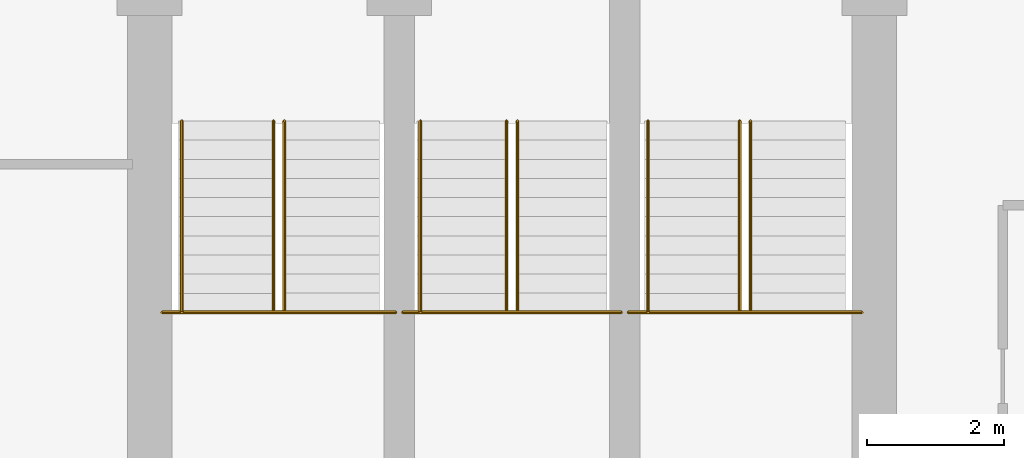
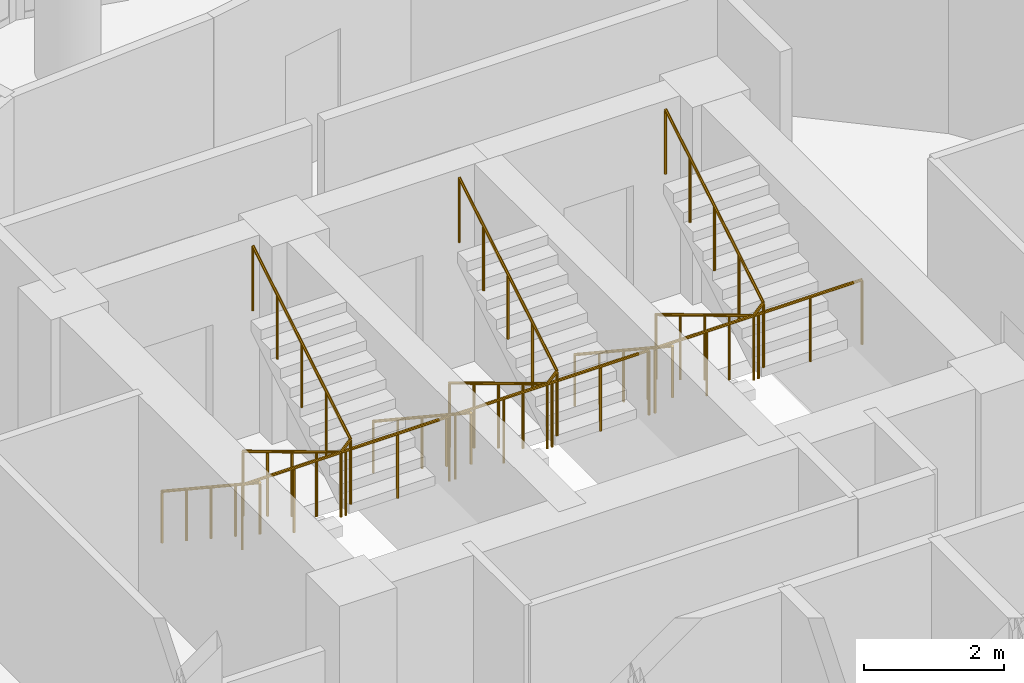
# One storey, part 26 of 26: 9 railings.
"""IFC4 building model written with IfcOpenShell, lengths in metres."""

from ifc_helpers import new_model, si_unit, direction, frame, origin, place, context, subcontext, project, spatial, polyline, outline, extrude, material, type_object, element, save


model = new_model("IFC4")

# Units and contexts
model_context = context("Model", 3, precision=1e-05, world=origin(), true_north=direction((0.0, 1.0)))
body_context = subcontext(model_context, "Body", "Model", "MODEL_VIEW")
ifc_project = project(units=[si_unit("LENGTHUNIT", "METRE"), si_unit("AREAUNIT", "SQUARE_METRE"), si_unit("VOLUMEUNIT", "CUBIC_METRE"), si_unit("PLANEANGLEUNIT", "RADIAN"), si_unit("MASSUNIT", "GRAM", prefix="KILO")], contexts=[model_context])

# Site, building, storey
site_placement = place(None, origin())
site = spatial("IfcSite", under=ifc_project, at=site_placement, CompositionType="ELEMENT")
building_placement = place(site_placement, origin())
building = spatial("IfcBuilding", under=site, at=building_placement, Name="Nuhasar Tower", CompositionType="ELEMENT")
storey_placement = place(building_placement, frame((0.0, 0.0, 118.25)))
storey = spatial("IfcBuildingStorey", under=building, at=storey_placement, Name="L27", CompositionType="ELEMENT", Elevation=118.25)

# Railings
ifc_material_1 = material(Name="Steel S355", Category="steel")
railing_type_1 = type_object("IfcRailingType", Name="RLG-STAIR-GUARD-1150", PredefinedType="GUARDRAIL", material=ifc_material_1)
railing_1_placement = place(storey_placement, frame((33.8798828125, 32.485107421875, 1.85009765625)))
element("IfcRailing", 1, at=railing_1_placement, inside=storey, type_object=railing_type_1, Name="L27 Stair ST-01 Guardrail LND", PredefinedType="GUARDRAIL", context=body_context, shape_type="SweptSolid", body=[
    extrude(outline(polyline([(0.024169921875, 0.0), (0.01708984375, 0.01708984375), (0.0, 0.024169921875), (-0.01708984375, 0.01708984375), (-0.024169921875, 0.0), (-0.01708984375, -0.01708984375), (0.0, -0.024169921875), (0.01708984375, -0.01708984375), (0.024169921875, 0.0)])), frame((0.0, 0.0, 1.1259765625), z_axis=(1.0, 0.0, 0.0), x_axis=(0.0, 1.0, 0.0)), (0.0, 0.0, 1.0), 3.420166015625),
    extrude(outline(polyline([(0.02099609375, 0.0), (0.014892578125, 0.014892578125), (0.0, 0.02099609375), (-0.014892578125, 0.014892578125), (-0.02099609375, 0.0), (-0.014892578125, -0.014892578125), (0.0, -0.02099609375), (0.014892578125, -0.014892578125), (0.02099609375, 0.0)])), origin(), (0.0, 0.0, 1.0), 1.101806640625),
    extrude(outline(polyline([(0.02099609375, 0.0), (0.014892578125, 0.014892578125), (0.0, 0.02099609375), (-0.014892578125, 0.014892578125), (-0.02099609375, 0.0), (-0.014892578125, -0.014892578125), (0.0, -0.02099609375), (0.014892578125, -0.014892578125), (0.02099609375, 0.0)])), frame((0.85498046875, 0.0, 0.0)), (0.0, 0.0, 1.0), 1.101806640625),
    extrude(outline(polyline([(0.02099609375, 0.0), (0.014892578125, 0.014892578125), (0.0, 0.02099609375), (-0.014892578125, 0.014892578125), (-0.02099609375, 0.0), (-0.014892578125, -0.014892578125), (0.0, -0.02099609375), (0.014892578125, -0.014892578125), (0.02099609375, 0.0)])), frame((1.7099609375, 0.0, 0.0)), (0.0, 0.0, 1.0), 1.101806640625),
    extrude(outline(polyline([(0.02099609375, 0.0), (0.014892578125, 0.014892578125), (0.0, 0.02099609375), (-0.014892578125, 0.014892578125), (-0.02099609375, 0.0), (-0.014892578125, -0.014892578125), (0.0, -0.02099609375), (0.014892578125, -0.014892578125), (0.02099609375, 0.0)])), frame((2.565185546875, 0.0, 0.0)), (0.0, 0.0, 1.0), 1.101806640625),
    extrude(outline(polyline([(0.02099609375, 0.0), (0.014892578125, 0.014892578125), (0.0, 0.02099609375), (-0.014892578125, 0.014892578125), (-0.02099609375, 0.0), (-0.014892578125, -0.014892578125), (0.0, -0.02099609375), (0.014892578125, -0.014892578125), (0.02099609375, 0.0)])), frame((3.420166015625, 0.0, 0.0)), (0.0, 0.0, 1.0), 1.101806640625),
])
railing_2_placement = place(storey_placement, frame((35.510009765625, 35.284912109375, 0.16796875)))
element("IfcRailing", 2, at=railing_2_placement, inside=storey, type_object=railing_type_1, Name="L27 Stair ST-01 Guardrail SLT", PredefinedType="GUARDRAIL", context=body_context, shape_type="SweptSolid", body=[
    extrude(outline(polyline([(0.024169921875, 0.0), (0.01708984375, 0.01708984375), (0.0, 0.024169921875), (-0.01708984375, 0.01708984375), (-0.024169921875, 0.0), (-0.01708984375, -0.01708984375), (0.0, -0.024169921875), (0.01708984375, -0.01708984375), (0.024169921875, 0.0)])), frame((0.0, 0.0, 1.1259765625), z_axis=(0.0, -0.857189395008, 0.515001302023), x_axis=(1.0, 0.0, 0.0)), (0.0, 0.0, 1.0), 3.266357421875),
    extrude(outline(polyline([(0.024169921875, 0.0), (0.01708984375, 0.01708984375), (0.0, 0.024169921875), (-0.01708984375, 0.01708984375), (-0.024169921875, 0.0), (-0.01708984375, -0.01708984375), (0.0, -0.024169921875), (0.01708984375, -0.01708984375), (0.024169921875, 0.0)])), frame((0.0, -2.7998046875, 2.80810546875), z_axis=(0.689523729023, 0.0, 0.72426309247), x_axis=(0.0, 1.0, 0.0)), (0.0, 0.0, 1.0), 0.23193359375),
    extrude(outline(polyline([(0.024169921875, 0.0), (0.01708984375, 0.01708984375), (0.0, 0.024169921875), (-0.01708984375, 0.01708984375), (-0.024169921875, 0.0), (-0.01708984375, -0.01708984375), (0.0, -0.024169921875), (0.01708984375, -0.01708984375), (0.024169921875, 0.0)])), frame((0.159912109375, -2.7998046875, 2.97607421875), z_axis=(0.0, 0.857222391501, 0.514946377315), x_axis=(-1.0, 0.0, 0.0)), (0.0, 0.0, 1.0), 3.26611328125),
    extrude(outline(polyline([(0.02099609375, 0.0), (0.014892578125, 0.014892578125), (0.0, 0.02099609375), (-0.014892578125, 0.014892578125), (-0.02099609375, 0.0), (-0.014892578125, -0.014892578125), (0.0, -0.02099609375), (0.014892578125, -0.014892578125), (0.02099609375, 0.0)])), origin(), (0.0, 0.0, 1.0), 1.101806640625),
    extrude(outline(polyline([(0.02099609375, 0.0), (0.014892578125, 0.014892578125), (0.0, 0.02099609375), (-0.014892578125, 0.014892578125), (-0.02099609375, 0.0), (-0.014892578125, -0.014892578125), (0.0, -0.02099609375), (0.014892578125, -0.014892578125), (0.02099609375, 0.0)])), frame((0.0, -0.699951171875, 0.42041015625)), (0.0, 0.0, 1.0), 1.101806640625),
    extrude(outline(polyline([(0.02099609375, 0.0), (0.014892578125, 0.014892578125), (0.0, 0.02099609375), (-0.014892578125, 0.014892578125), (-0.02099609375, 0.0), (-0.014892578125, -0.014892578125), (0.0, -0.02099609375), (0.014892578125, -0.014892578125), (0.02099609375, 0.0)])), frame((0.0, -1.39990234375, 0.841064453125)), (0.0, 0.0, 1.0), 1.101806640625),
    extrude(outline(polyline([(0.02099609375, 0.0), (0.014892578125, 0.014892578125), (0.0, 0.02099609375), (-0.014892578125, 0.014892578125), (-0.02099609375, 0.0), (-0.014892578125, -0.014892578125), (0.0, -0.02099609375), (0.014892578125, -0.014892578125), (0.02099609375, 0.0)])), frame((0.0, -2.099853515625, 1.26171875)), (0.0, 0.0, 1.0), 1.101806640625),
    extrude(outline(polyline([(0.02099609375, 0.0), (0.014892578125, 0.014892578125), (0.0, 0.02099609375), (-0.014892578125, 0.014892578125), (-0.02099609375, 0.0), (-0.014892578125, -0.014892578125), (0.0, -0.02099609375), (0.014892578125, -0.014892578125), (0.02099609375, 0.0)])), frame((0.0, -2.7998046875, 1.68212890625)), (0.0, 0.0, 1.0), 1.101806640625),
    extrude(outline(polyline([(0.02099609375, 0.0), (0.014892578125, 0.014892578125), (0.0, 0.02099609375), (-0.014892578125, 0.014892578125), (-0.02099609375, 0.0), (-0.014892578125, -0.014892578125), (0.0, -0.02099609375), (0.014892578125, -0.014892578125), (0.02099609375, 0.0)])), frame((0.159912109375, -2.7998046875, 1.85009765625)), (0.0, 0.0, 1.0), 1.101806640625),
    extrude(outline(polyline([(0.02099609375, 0.0), (0.014892578125, 0.014892578125), (0.0, 0.02099609375), (-0.014892578125, 0.014892578125), (-0.02099609375, 0.0), (-0.014892578125, -0.014892578125), (0.0, -0.02099609375), (0.014892578125, -0.014892578125), (0.02099609375, 0.0)])), frame((0.159912109375, -2.099853515625, 2.2705078125)), (0.0, 0.0, 1.0), 1.101806640625),
    extrude(outline(polyline([(0.02099609375, 0.0), (0.014892578125, 0.014892578125), (0.0, 0.02099609375), (-0.014892578125, 0.014892578125), (-0.02099609375, 0.0), (-0.014892578125, -0.014892578125), (0.0, -0.02099609375), (0.014892578125, -0.014892578125), (0.02099609375, 0.0)])), frame((0.159912109375, -1.39990234375, 2.69091796875)), (0.0, 0.0, 1.0), 1.101806640625),
    extrude(outline(polyline([(0.02099609375, 0.0), (0.014892578125, 0.014892578125), (0.0, 0.02099609375), (-0.014892578125, 0.014892578125), (-0.02099609375, 0.0), (-0.014892578125, -0.014892578125), (0.0, -0.02099609375), (0.014892578125, -0.014892578125), (0.02099609375, 0.0)])), frame((0.159912109375, -0.699951171875, 3.111572265625)), (0.0, 0.0, 1.0), 1.101806640625),
    extrude(outline(polyline([(0.02099609375, 0.0), (0.014892578125, 0.014892578125), (0.0, 0.02099609375), (-0.014892578125, 0.014892578125), (-0.02099609375, 0.0), (-0.014892578125, -0.014892578125), (0.0, -0.02099609375), (0.014892578125, -0.014892578125), (0.02099609375, 0.0)])), frame((0.159912109375, 0.0, 3.531982421875)), (0.0, 0.0, 1.0), 1.101806640625),
])
railing_3_placement = place(storey_placement, frame((37.39990234375, 32.485107421875, 1.85009765625)))
element("IfcRailing", 3, at=railing_3_placement, inside=storey, type_object=railing_type_1, Name="L27 Stair ST-03 Guardrail LND", PredefinedType="GUARDRAIL", context=body_context, shape_type="SweptSolid", body=[
    extrude(outline(polyline([(0.024169921875, 0.0), (0.01708984375, 0.01708984375), (0.0, 0.024169921875), (-0.01708984375, 0.01708984375), (-0.024169921875, 0.0), (-0.01708984375, -0.01708984375), (0.0, -0.024169921875), (0.01708984375, -0.01708984375), (0.024169921875, 0.0)])), frame((0.0, 0.0, 1.1259765625), z_axis=(1.0, 0.0, 0.0), x_axis=(0.0, 1.0, 0.0)), (0.0, 0.0, 1.0), 3.2001953125),
    extrude(outline(polyline([(0.02099609375, 0.0), (0.014892578125, 0.014892578125), (0.0, 0.02099609375), (-0.014892578125, 0.014892578125), (-0.02099609375, 0.0), (-0.014892578125, -0.014892578125), (0.0, -0.02099609375), (0.014892578125, -0.014892578125), (0.02099609375, 0.0)])), origin(), (0.0, 0.0, 1.0), 1.101806640625),
    extrude(outline(polyline([(0.02099609375, 0.0), (0.014892578125, 0.014892578125), (0.0, 0.02099609375), (-0.014892578125, 0.014892578125), (-0.02099609375, 0.0), (-0.014892578125, -0.014892578125), (0.0, -0.02099609375), (0.014892578125, -0.014892578125), (0.02099609375, 0.0)])), frame((0.800048828125, 0.0, 0.0)), (0.0, 0.0, 1.0), 1.101806640625),
    extrude(outline(polyline([(0.02099609375, 0.0), (0.014892578125, 0.014892578125), (0.0, 0.02099609375), (-0.014892578125, 0.014892578125), (-0.02099609375, 0.0), (-0.014892578125, -0.014892578125), (0.0, -0.02099609375), (0.014892578125, -0.014892578125), (0.02099609375, 0.0)])), frame((1.60009765625, 0.0, 0.0)), (0.0, 0.0, 1.0), 1.101806640625),
    extrude(outline(polyline([(0.02099609375, 0.0), (0.014892578125, 0.014892578125), (0.0, 0.02099609375), (-0.014892578125, 0.014892578125), (-0.02099609375, 0.0), (-0.014892578125, -0.014892578125), (0.0, -0.02099609375), (0.014892578125, -0.014892578125), (0.02099609375, 0.0)])), frame((2.400146484375, 0.0, 0.0)), (0.0, 0.0, 1.0), 1.101806640625),
    extrude(outline(polyline([(0.02099609375, 0.0), (0.014892578125, 0.014892578125), (0.0, 0.02099609375), (-0.014892578125, 0.014892578125), (-0.02099609375, 0.0), (-0.014892578125, -0.014892578125), (0.0, -0.02099609375), (0.014892578125, -0.014892578125), (0.02099609375, 0.0)])), frame((3.2001953125, 0.0, 0.0)), (0.0, 0.0, 1.0), 1.101806640625),
])
railing_4_placement = place(storey_placement, frame((38.919921875, 35.284912109375, 0.16796875)))
element("IfcRailing", 4, at=railing_4_placement, inside=storey, type_object=railing_type_1, Name="L27 Stair ST-03 Guardrail SLT", PredefinedType="GUARDRAIL", context=body_context, shape_type="SweptSolid", body=[
    extrude(outline(polyline([(0.024169921875, 0.0), (0.01708984375, 0.01708984375), (0.0, 0.024169921875), (-0.01708984375, 0.01708984375), (-0.024169921875, 0.0), (-0.01708984375, -0.01708984375), (0.0, -0.024169921875), (0.01708984375, -0.01708984375), (0.024169921875, 0.0)])), frame((0.0, 0.0, 1.1259765625), z_axis=(0.0, -0.857189395008, 0.515001302023), x_axis=(1.0, 0.0, 0.0)), (0.0, 0.0, 1.0), 3.266357421875),
    extrude(outline(polyline([(0.024169921875, 0.0), (0.01708984375, 0.01708984375), (0.0, 0.024169921875), (-0.01708984375, 0.01708984375), (-0.024169921875, 0.0), (-0.01708984375, -0.01708984375), (0.0, -0.024169921875), (0.01708984375, -0.01708984375), (0.024169921875, 0.0)])), frame((0.0, -2.7998046875, 2.80810546875), z_axis=(0.690075333573, 0.0, 0.723737544967), x_axis=(0.0, 1.0, 0.0)), (0.0, 0.0, 1.0), 0.232177734375),
    extrude(outline(polyline([(0.024169921875, 0.0), (0.01708984375, 0.01708984375), (0.0, 0.024169921875), (-0.01708984375, 0.01708984375), (-0.024169921875, 0.0), (-0.01708984375, -0.01708984375), (0.0, -0.024169921875), (0.01708984375, -0.01708984375), (0.024169921875, 0.0)])), frame((0.16015625, -2.7998046875, 2.97607421875), z_axis=(0.0, 0.857222391501, 0.514946377315), x_axis=(-1.0, 0.0, 0.0)), (0.0, 0.0, 1.0), 3.26611328125),
    extrude(outline(polyline([(0.02099609375, 0.0), (0.014892578125, 0.014892578125), (0.0, 0.02099609375), (-0.014892578125, 0.014892578125), (-0.02099609375, 0.0), (-0.014892578125, -0.014892578125), (0.0, -0.02099609375), (0.014892578125, -0.014892578125), (0.02099609375, 0.0)])), origin(), (0.0, 0.0, 1.0), 1.101806640625),
    extrude(outline(polyline([(0.02099609375, 0.0), (0.014892578125, 0.014892578125), (0.0, 0.02099609375), (-0.014892578125, 0.014892578125), (-0.02099609375, 0.0), (-0.014892578125, -0.014892578125), (0.0, -0.02099609375), (0.014892578125, -0.014892578125), (0.02099609375, 0.0)])), frame((0.0, -0.699951171875, 0.42041015625)), (0.0, 0.0, 1.0), 1.101806640625),
    extrude(outline(polyline([(0.02099609375, 0.0), (0.014892578125, 0.014892578125), (0.0, 0.02099609375), (-0.014892578125, 0.014892578125), (-0.02099609375, 0.0), (-0.014892578125, -0.014892578125), (0.0, -0.02099609375), (0.014892578125, -0.014892578125), (0.02099609375, 0.0)])), frame((0.0, -1.39990234375, 0.841064453125)), (0.0, 0.0, 1.0), 1.101806640625),
    extrude(outline(polyline([(0.02099609375, 0.0), (0.014892578125, 0.014892578125), (0.0, 0.02099609375), (-0.014892578125, 0.014892578125), (-0.02099609375, 0.0), (-0.014892578125, -0.014892578125), (0.0, -0.02099609375), (0.014892578125, -0.014892578125), (0.02099609375, 0.0)])), frame((0.0, -2.099853515625, 1.26171875)), (0.0, 0.0, 1.0), 1.101806640625),
    extrude(outline(polyline([(0.02099609375, 0.0), (0.014892578125, 0.014892578125), (0.0, 0.02099609375), (-0.014892578125, 0.014892578125), (-0.02099609375, 0.0), (-0.014892578125, -0.014892578125), (0.0, -0.02099609375), (0.014892578125, -0.014892578125), (0.02099609375, 0.0)])), frame((0.0, -2.7998046875, 1.68212890625)), (0.0, 0.0, 1.0), 1.101806640625),
    extrude(outline(polyline([(0.02099609375, 0.0), (0.014892578125, 0.014892578125), (0.0, 0.02099609375), (-0.014892578125, 0.014892578125), (-0.02099609375, 0.0), (-0.014892578125, -0.014892578125), (0.0, -0.02099609375), (0.014892578125, -0.014892578125), (0.02099609375, 0.0)])), frame((0.16015625, -2.7998046875, 1.85009765625)), (0.0, 0.0, 1.0), 1.101806640625),
    extrude(outline(polyline([(0.02099609375, 0.0), (0.014892578125, 0.014892578125), (0.0, 0.02099609375), (-0.014892578125, 0.014892578125), (-0.02099609375, 0.0), (-0.014892578125, -0.014892578125), (0.0, -0.02099609375), (0.014892578125, -0.014892578125), (0.02099609375, 0.0)])), frame((0.16015625, -2.099853515625, 2.2705078125)), (0.0, 0.0, 1.0), 1.101806640625),
    extrude(outline(polyline([(0.02099609375, 0.0), (0.014892578125, 0.014892578125), (0.0, 0.02099609375), (-0.014892578125, 0.014892578125), (-0.02099609375, 0.0), (-0.014892578125, -0.014892578125), (0.0, -0.02099609375), (0.014892578125, -0.014892578125), (0.02099609375, 0.0)])), frame((0.16015625, -1.39990234375, 2.69091796875)), (0.0, 0.0, 1.0), 1.101806640625),
    extrude(outline(polyline([(0.02099609375, 0.0), (0.014892578125, 0.014892578125), (0.0, 0.02099609375), (-0.014892578125, 0.014892578125), (-0.02099609375, 0.0), (-0.014892578125, -0.014892578125), (0.0, -0.02099609375), (0.014892578125, -0.014892578125), (0.02099609375, 0.0)])), frame((0.16015625, -0.699951171875, 3.111572265625)), (0.0, 0.0, 1.0), 1.101806640625),
    extrude(outline(polyline([(0.02099609375, 0.0), (0.014892578125, 0.014892578125), (0.0, 0.02099609375), (-0.014892578125, 0.014892578125), (-0.02099609375, 0.0), (-0.014892578125, -0.014892578125), (0.0, -0.02099609375), (0.014892578125, -0.014892578125), (0.02099609375, 0.0)])), frame((0.16015625, 0.0, 3.531982421875)), (0.0, 0.0, 1.0), 1.101806640625),
])
railing_5_placement = place(storey_placement, frame((40.699951171875, 32.485107421875, 1.85009765625)))
element("IfcRailing", 5, at=railing_5_placement, inside=storey, type_object=railing_type_1, Name="L27 Stair ST-02 Guardrail LND", PredefinedType="GUARDRAIL", context=body_context, shape_type="SweptSolid", body=[
    extrude(outline(polyline([(0.024169921875, 0.0), (0.01708984375, 0.01708984375), (0.0, 0.024169921875), (-0.01708984375, 0.01708984375), (-0.024169921875, 0.0), (-0.01708984375, -0.01708984375), (0.0, -0.024169921875), (0.01708984375, -0.01708984375), (0.024169921875, 0.0)])), frame((0.0, 0.0, 1.1259765625), z_axis=(1.0, 0.0, 0.0), x_axis=(0.0, 1.0, 0.0)), (0.0, 0.0, 1.0), 3.420166015625),
    extrude(outline(polyline([(0.02099609375, 0.0), (0.014892578125, 0.014892578125), (0.0, 0.02099609375), (-0.014892578125, 0.014892578125), (-0.02099609375, 0.0), (-0.014892578125, -0.014892578125), (0.0, -0.02099609375), (0.014892578125, -0.014892578125), (0.02099609375, 0.0)])), origin(), (0.0, 0.0, 1.0), 1.101806640625),
    extrude(outline(polyline([(0.02099609375, 0.0), (0.014892578125, 0.014892578125), (0.0, 0.02099609375), (-0.014892578125, 0.014892578125), (-0.02099609375, 0.0), (-0.014892578125, -0.014892578125), (0.0, -0.02099609375), (0.014892578125, -0.014892578125), (0.02099609375, 0.0)])), frame((0.85498046875, 0.0, 0.0)), (0.0, 0.0, 1.0), 1.101806640625),
    extrude(outline(polyline([(0.02099609375, 0.0), (0.014892578125, 0.014892578125), (0.0, 0.02099609375), (-0.014892578125, 0.014892578125), (-0.02099609375, 0.0), (-0.014892578125, -0.014892578125), (0.0, -0.02099609375), (0.014892578125, -0.014892578125), (0.02099609375, 0.0)])), frame((1.7099609375, 0.0, 0.0)), (0.0, 0.0, 1.0), 1.101806640625),
    extrude(outline(polyline([(0.02099609375, 0.0), (0.014892578125, 0.014892578125), (0.0, 0.02099609375), (-0.014892578125, 0.014892578125), (-0.02099609375, 0.0), (-0.014892578125, -0.014892578125), (0.0, -0.02099609375), (0.014892578125, -0.014892578125), (0.02099609375, 0.0)])), frame((2.565185546875, 0.0, 0.0)), (0.0, 0.0, 1.0), 1.101806640625),
    extrude(outline(polyline([(0.02099609375, 0.0), (0.014892578125, 0.014892578125), (0.0, 0.02099609375), (-0.014892578125, 0.014892578125), (-0.02099609375, 0.0), (-0.014892578125, -0.014892578125), (0.0, -0.02099609375), (0.014892578125, -0.014892578125), (0.02099609375, 0.0)])), frame((3.420166015625, 0.0, 0.0)), (0.0, 0.0, 1.0), 1.101806640625),
])
railing_6_placement = place(storey_placement, frame((42.330078125, 35.284912109375, 0.16796875)))
element("IfcRailing", 6, at=railing_6_placement, inside=storey, type_object=railing_type_1, Name="L27 Stair ST-02 Guardrail SLT", PredefinedType="GUARDRAIL", context=body_context, shape_type="SweptSolid", body=[
    extrude(outline(polyline([(0.024169921875, 0.0), (0.01708984375, 0.01708984375), (0.0, 0.024169921875), (-0.01708984375, 0.01708984375), (-0.024169921875, 0.0), (-0.01708984375, -0.01708984375), (0.0, -0.024169921875), (0.01708984375, -0.01708984375), (0.024169921875, 0.0)])), frame((0.0, 0.0, 1.1259765625), z_axis=(0.0, -0.857189395008, 0.515001302023), x_axis=(1.0, 0.0, 0.0)), (0.0, 0.0, 1.0), 3.266357421875),
    extrude(outline(polyline([(0.024169921875, 0.0), (0.01708984375, 0.01708984375), (0.0, 0.024169921875), (-0.01708984375, 0.01708984375), (-0.024169921875, 0.0), (-0.01708984375, -0.01708984375), (0.0, -0.024169921875), (0.01708984375, -0.01708984375), (0.024169921875, 0.0)])), frame((0.0, -2.7998046875, 2.80810546875), z_axis=(0.689523729023, 0.0, 0.72426309247), x_axis=(0.0, 1.0, 0.0)), (0.0, 0.0, 1.0), 0.23193359375),
    extrude(outline(polyline([(0.024169921875, 0.0), (0.01708984375, 0.01708984375), (0.0, 0.024169921875), (-0.01708984375, 0.01708984375), (-0.024169921875, 0.0), (-0.01708984375, -0.01708984375), (0.0, -0.024169921875), (0.01708984375, -0.01708984375), (0.024169921875, 0.0)])), frame((0.159912109375, -2.7998046875, 2.97607421875), z_axis=(0.0, 0.857222391501, 0.514946377315), x_axis=(-1.0, 0.0, 0.0)), (0.0, 0.0, 1.0), 3.26611328125),
    extrude(outline(polyline([(0.02099609375, 0.0), (0.014892578125, 0.014892578125), (0.0, 0.02099609375), (-0.014892578125, 0.014892578125), (-0.02099609375, 0.0), (-0.014892578125, -0.014892578125), (0.0, -0.02099609375), (0.014892578125, -0.014892578125), (0.02099609375, 0.0)])), origin(), (0.0, 0.0, 1.0), 1.101806640625),
    extrude(outline(polyline([(0.02099609375, 0.0), (0.014892578125, 0.014892578125), (0.0, 0.02099609375), (-0.014892578125, 0.014892578125), (-0.02099609375, 0.0), (-0.014892578125, -0.014892578125), (0.0, -0.02099609375), (0.014892578125, -0.014892578125), (0.02099609375, 0.0)])), frame((0.0, -0.699951171875, 0.42041015625)), (0.0, 0.0, 1.0), 1.101806640625),
    extrude(outline(polyline([(0.02099609375, 0.0), (0.014892578125, 0.014892578125), (0.0, 0.02099609375), (-0.014892578125, 0.014892578125), (-0.02099609375, 0.0), (-0.014892578125, -0.014892578125), (0.0, -0.02099609375), (0.014892578125, -0.014892578125), (0.02099609375, 0.0)])), frame((0.0, -1.39990234375, 0.841064453125)), (0.0, 0.0, 1.0), 1.101806640625),
    extrude(outline(polyline([(0.02099609375, 0.0), (0.014892578125, 0.014892578125), (0.0, 0.02099609375), (-0.014892578125, 0.014892578125), (-0.02099609375, 0.0), (-0.014892578125, -0.014892578125), (0.0, -0.02099609375), (0.014892578125, -0.014892578125), (0.02099609375, 0.0)])), frame((0.0, -2.099853515625, 1.26171875)), (0.0, 0.0, 1.0), 1.101806640625),
    extrude(outline(polyline([(0.02099609375, 0.0), (0.014892578125, 0.014892578125), (0.0, 0.02099609375), (-0.014892578125, 0.014892578125), (-0.02099609375, 0.0), (-0.014892578125, -0.014892578125), (0.0, -0.02099609375), (0.014892578125, -0.014892578125), (0.02099609375, 0.0)])), frame((0.0, -2.7998046875, 1.68212890625)), (0.0, 0.0, 1.0), 1.101806640625),
    extrude(outline(polyline([(0.02099609375, 0.0), (0.014892578125, 0.014892578125), (0.0, 0.02099609375), (-0.014892578125, 0.014892578125), (-0.02099609375, 0.0), (-0.014892578125, -0.014892578125), (0.0, -0.02099609375), (0.014892578125, -0.014892578125), (0.02099609375, 0.0)])), frame((0.159912109375, -2.7998046875, 1.85009765625)), (0.0, 0.0, 1.0), 1.101806640625),
    extrude(outline(polyline([(0.02099609375, 0.0), (0.014892578125, 0.014892578125), (0.0, 0.02099609375), (-0.014892578125, 0.014892578125), (-0.02099609375, 0.0), (-0.014892578125, -0.014892578125), (0.0, -0.02099609375), (0.014892578125, -0.014892578125), (0.02099609375, 0.0)])), frame((0.159912109375, -2.099853515625, 2.2705078125)), (0.0, 0.0, 1.0), 1.101806640625),
    extrude(outline(polyline([(0.02099609375, 0.0), (0.014892578125, 0.014892578125), (0.0, 0.02099609375), (-0.014892578125, 0.014892578125), (-0.02099609375, 0.0), (-0.014892578125, -0.014892578125), (0.0, -0.02099609375), (0.014892578125, -0.014892578125), (0.02099609375, 0.0)])), frame((0.159912109375, -1.39990234375, 2.69091796875)), (0.0, 0.0, 1.0), 1.101806640625),
    extrude(outline(polyline([(0.02099609375, 0.0), (0.014892578125, 0.014892578125), (0.0, 0.02099609375), (-0.014892578125, 0.014892578125), (-0.02099609375, 0.0), (-0.014892578125, -0.014892578125), (0.0, -0.02099609375), (0.014892578125, -0.014892578125), (0.02099609375, 0.0)])), frame((0.159912109375, -0.699951171875, 3.111572265625)), (0.0, 0.0, 1.0), 1.101806640625),
    extrude(outline(polyline([(0.02099609375, 0.0), (0.014892578125, 0.014892578125), (0.0, 0.02099609375), (-0.014892578125, 0.014892578125), (-0.02099609375, 0.0), (-0.014892578125, -0.014892578125), (0.0, -0.02099609375), (0.014892578125, -0.014892578125), (0.02099609375, 0.0)])), frame((0.159912109375, 0.0, 3.531982421875)), (0.0, 0.0, 1.0), 1.101806640625),
])
ifc_material_2 = material(Name="Stainless Steel 316L", Category="steel")
railing_type_2 = type_object("IfcRailingType", Name="RLG-STAIR-HAND-920", PredefinedType="HANDRAIL", material=ifc_material_2)
railing_7_placement = place(storey_placement, frame((34.169921875, 35.284912109375, 0.16796875)))
element("IfcRailing", 7, at=railing_7_placement, inside=storey, type_object=railing_type_2, Name="L27 Stair ST-01 Handrail HND1", PredefinedType="HANDRAIL", context=body_context, shape_type="SweptSolid", body=[
    extrude(outline(polyline([(0.024169921875, 0.0), (0.01708984375, 0.01708984375), (0.0, 0.024169921875), (-0.01708984375, 0.01708984375), (-0.024169921875, 0.0), (-0.01708984375, -0.01708984375), (0.0, -0.024169921875), (0.01708984375, -0.01708984375), (0.024169921875, 0.0)])), frame((0.0, 0.0, 0.89599609375), z_axis=(0.0, -0.834304248922, 0.551304290053), x_axis=(1.0, 0.0, 0.0)), (0.0, 0.0, 1.0), 3.35595703125),
    extrude(outline(polyline([(0.02099609375, 0.0), (0.014892578125, 0.014892578125), (0.0, 0.02099609375), (-0.014892578125, 0.014892578125), (-0.02099609375, 0.0), (-0.014892578125, -0.014892578125), (0.0, -0.02099609375), (0.014892578125, -0.014892578125), (0.02099609375, 0.0)])), origin(), (0.0, 0.0, 1.0), 0.871826171875),
    extrude(outline(polyline([(0.02099609375, 0.0), (0.014892578125, 0.014892578125), (0.0, 0.02099609375), (-0.014892578125, 0.014892578125), (-0.02099609375, 0.0), (-0.014892578125, -0.014892578125), (0.0, -0.02099609375), (0.014892578125, -0.014892578125), (0.02099609375, 0.0)])), frame((0.0, -0.699951171875, 0.46240234375)), (0.0, 0.0, 1.0), 0.871826171875),
    extrude(outline(polyline([(0.02099609375, 0.0), (0.014892578125, 0.014892578125), (0.0, 0.02099609375), (-0.014892578125, 0.014892578125), (-0.02099609375, 0.0), (-0.014892578125, -0.014892578125), (0.0, -0.02099609375), (0.014892578125, -0.014892578125), (0.02099609375, 0.0)])), frame((0.0, -1.39990234375, 0.925048828125)), (0.0, 0.0, 1.0), 0.871826171875),
    extrude(outline(polyline([(0.02099609375, 0.0), (0.014892578125, 0.014892578125), (0.0, 0.02099609375), (-0.014892578125, 0.014892578125), (-0.02099609375, 0.0), (-0.014892578125, -0.014892578125), (0.0, -0.02099609375), (0.014892578125, -0.014892578125), (0.02099609375, 0.0)])), frame((0.0, -2.099853515625, 1.3876953125)), (0.0, 0.0, 1.0), 0.871826171875),
    extrude(outline(polyline([(0.02099609375, 0.0), (0.014892578125, 0.014892578125), (0.0, 0.02099609375), (-0.014892578125, 0.014892578125), (-0.02099609375, 0.0), (-0.014892578125, -0.014892578125), (0.0, -0.02099609375), (0.014892578125, -0.014892578125), (0.02099609375, 0.0)])), frame((0.0, -2.7998046875, 1.85009765625)), (0.0, 0.0, 1.0), 0.871826171875),
])
railing_8_placement = place(storey_placement, frame((37.659912109375, 35.284912109375, 0.16796875)))
element("IfcRailing", 8, at=railing_8_placement, inside=storey, type_object=railing_type_2, Name="L27 Stair ST-03 Handrail HND1", PredefinedType="HANDRAIL", context=body_context, shape_type="SweptSolid", body=[
    extrude(outline(polyline([(0.024169921875, 0.0), (0.01708984375, 0.01708984375), (0.0, 0.024169921875), (-0.01708984375, 0.01708984375), (-0.024169921875, 0.0), (-0.01708984375, -0.01708984375), (0.0, -0.024169921875), (0.01708984375, -0.01708984375), (0.024169921875, 0.0)])), frame((0.0, 0.0, 0.89599609375), z_axis=(0.0, -0.834304248922, 0.551304290053), x_axis=(1.0, 0.0, 0.0)), (0.0, 0.0, 1.0), 3.35595703125),
    extrude(outline(polyline([(0.02099609375, 0.0), (0.014892578125, 0.014892578125), (0.0, 0.02099609375), (-0.014892578125, 0.014892578125), (-0.02099609375, 0.0), (-0.014892578125, -0.014892578125), (0.0, -0.02099609375), (0.014892578125, -0.014892578125), (0.02099609375, 0.0)])), origin(), (0.0, 0.0, 1.0), 0.871826171875),
    extrude(outline(polyline([(0.02099609375, 0.0), (0.014892578125, 0.014892578125), (0.0, 0.02099609375), (-0.014892578125, 0.014892578125), (-0.02099609375, 0.0), (-0.014892578125, -0.014892578125), (0.0, -0.02099609375), (0.014892578125, -0.014892578125), (0.02099609375, 0.0)])), frame((0.0, -0.699951171875, 0.46240234375)), (0.0, 0.0, 1.0), 0.871826171875),
    extrude(outline(polyline([(0.02099609375, 0.0), (0.014892578125, 0.014892578125), (0.0, 0.02099609375), (-0.014892578125, 0.014892578125), (-0.02099609375, 0.0), (-0.014892578125, -0.014892578125), (0.0, -0.02099609375), (0.014892578125, -0.014892578125), (0.02099609375, 0.0)])), frame((0.0, -1.39990234375, 0.925048828125)), (0.0, 0.0, 1.0), 0.871826171875),
    extrude(outline(polyline([(0.02099609375, 0.0), (0.014892578125, 0.014892578125), (0.0, 0.02099609375), (-0.014892578125, 0.014892578125), (-0.02099609375, 0.0), (-0.014892578125, -0.014892578125), (0.0, -0.02099609375), (0.014892578125, -0.014892578125), (0.02099609375, 0.0)])), frame((0.0, -2.099853515625, 1.3876953125)), (0.0, 0.0, 1.0), 0.871826171875),
    extrude(outline(polyline([(0.02099609375, 0.0), (0.014892578125, 0.014892578125), (0.0, 0.02099609375), (-0.014892578125, 0.014892578125), (-0.02099609375, 0.0), (-0.014892578125, -0.014892578125), (0.0, -0.02099609375), (0.014892578125, -0.014892578125), (0.02099609375, 0.0)])), frame((0.0, -2.7998046875, 1.85009765625)), (0.0, 0.0, 1.0), 0.871826171875),
])
railing_9_placement = place(storey_placement, frame((40.989990234375, 35.284912109375, 0.16796875)))
element("IfcRailing", 9, at=railing_9_placement, inside=storey, type_object=railing_type_2, Name="L27 Stair ST-02 Handrail HND1", PredefinedType="HANDRAIL", context=body_context, shape_type="SweptSolid", body=[
    extrude(outline(polyline([(0.024169921875, 0.0), (0.01708984375, 0.01708984375), (0.0, 0.024169921875), (-0.01708984375, 0.01708984375), (-0.024169921875, 0.0), (-0.01708984375, -0.01708984375), (0.0, -0.024169921875), (0.01708984375, -0.01708984375), (0.024169921875, 0.0)])), frame((0.0, 0.0, 0.89599609375), z_axis=(0.0, -0.834304248922, 0.551304290053), x_axis=(1.0, 0.0, 0.0)), (0.0, 0.0, 1.0), 3.35595703125),
    extrude(outline(polyline([(0.02099609375, 0.0), (0.014892578125, 0.014892578125), (0.0, 0.02099609375), (-0.014892578125, 0.014892578125), (-0.02099609375, 0.0), (-0.014892578125, -0.014892578125), (0.0, -0.02099609375), (0.014892578125, -0.014892578125), (0.02099609375, 0.0)])), origin(), (0.0, 0.0, 1.0), 0.871826171875),
    extrude(outline(polyline([(0.02099609375, 0.0), (0.014892578125, 0.014892578125), (0.0, 0.02099609375), (-0.014892578125, 0.014892578125), (-0.02099609375, 0.0), (-0.014892578125, -0.014892578125), (0.0, -0.02099609375), (0.014892578125, -0.014892578125), (0.02099609375, 0.0)])), frame((0.0, -0.699951171875, 0.46240234375)), (0.0, 0.0, 1.0), 0.871826171875),
    extrude(outline(polyline([(0.02099609375, 0.0), (0.014892578125, 0.014892578125), (0.0, 0.02099609375), (-0.014892578125, 0.014892578125), (-0.02099609375, 0.0), (-0.014892578125, -0.014892578125), (0.0, -0.02099609375), (0.014892578125, -0.014892578125), (0.02099609375, 0.0)])), frame((0.0, -1.39990234375, 0.925048828125)), (0.0, 0.0, 1.0), 0.871826171875),
    extrude(outline(polyline([(0.02099609375, 0.0), (0.014892578125, 0.014892578125), (0.0, 0.02099609375), (-0.014892578125, 0.014892578125), (-0.02099609375, 0.0), (-0.014892578125, -0.014892578125), (0.0, -0.02099609375), (0.014892578125, -0.014892578125), (0.02099609375, 0.0)])), frame((0.0, -2.099853515625, 1.3876953125)), (0.0, 0.0, 1.0), 0.871826171875),
    extrude(outline(polyline([(0.02099609375, 0.0), (0.014892578125, 0.014892578125), (0.0, 0.02099609375), (-0.014892578125, 0.014892578125), (-0.02099609375, 0.0), (-0.014892578125, -0.014892578125), (0.0, -0.02099609375), (0.014892578125, -0.014892578125), (0.02099609375, 0.0)])), frame((0.0, -2.7998046875, 1.85009765625)), (0.0, 0.0, 1.0), 0.871826171875),
])

save(model, "model.ifc")
